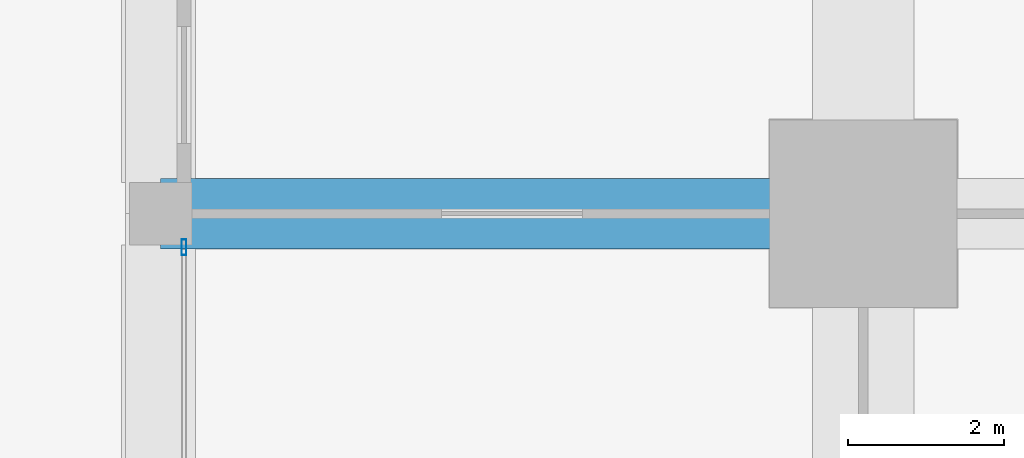
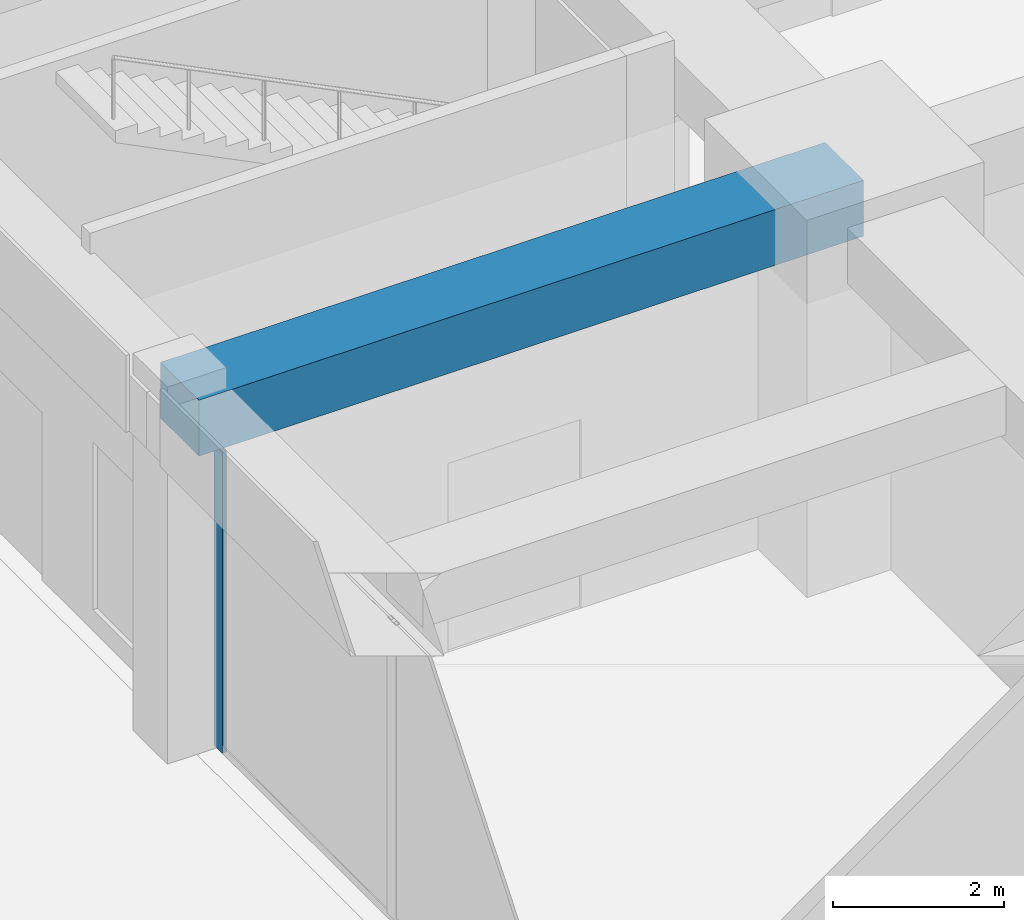
# One storey, part 17 of 56: 1 beam, 1 member, 1 element without a shape of its own.
"""IFC4 building model written with IfcOpenShell, lengths in metres."""

import ifcopenshell
import ifcopenshell.guid

model = None  # the IFC model being written
_history = None  # IfcOwnerHistory: only IFC2X3 demands one
_inside = {}  # id of a spatial element -> (the spatial element, [elements in it])
_under = {}  # id of a project, library or spatial element -> (it, [spatial elements below it])
_declared = {}  # id of a project -> (the project, [libraries it declares])
_typed = {}  # id of a type object -> (the type object, [elements of that type])
_made_of = {}  # id of a material, layer set ... -> (it, [elements and type objects made of it])


def new_model(schema):
    """Start an empty IFC model of exactly this schema.

    Asked for "IFC4X3", IfcOpenShell would pick the latest addendum, in which some entities
    have other attributes; the version numbers below select the first issue.
    IFC2X3 requires an IfcOwnerHistory on every rooted entity: one is made here for all.
    """
    global model, _history
    if schema == "IFC4X3":
        model = ifcopenshell.file(schema_version=(4, 3, 0, 0))
    else:
        model = ifcopenshell.file(schema=schema)
    _inside.clear()
    _under.clear()
    _declared.clear()
    _typed.clear()
    _made_of.clear()
    _history = None
    if model.schema == "IFC2X3":
        org = make("IfcOrganization", Name="unknown")
        user = make(
            "IfcPersonAndOrganization",
            ThePerson=make("IfcPerson", FamilyName="unknown"),
            TheOrganization=org,
        )
        app = make(
            "IfcApplication",
            ApplicationDeveloper=org,
            Version="unknown",
            ApplicationFullName="unknown",
            ApplicationIdentifier="unknown",
        )
        _history = make(
            "IfcOwnerHistory",
            OwningUser=user,
            OwningApplication=app,
            ChangeAction="ADDED",
            CreationDate=0,
        )
    return model


def make(cls, **values):
    """One entity of the class cls with the attributes given. An attribute that is None is left unset."""
    return model.create_entity(
        cls, **{name: value for name, value in values.items() if value is not None}
    )


def rooted(cls, **values):
    """An entity with a GlobalId (a new one), such as an element, a storey or a relation."""
    return make(cls, GlobalId=ifcopenshell.guid.new(), OwnerHistory=_history, **values)


def si_unit(unit_type, name, prefix=None):
    """IfcSIUnit, for example si_unit("LENGTHUNIT", "METRE", prefix="MILLI")."""
    return make("IfcSIUnit", UnitType=unit_type, Prefix=prefix, Name=name)


def assignment(units):
    """IfcUnitAssignment: the units of a project."""
    return None if units is None else make("IfcUnitAssignment", Units=units)


def point(xyz):
    """IfcCartesianPoint."""
    return None if xyz is None else make("IfcCartesianPoint", Coordinates=xyz)


def direction(xyz):
    """IfcDirection."""
    return None if xyz is None else make("IfcDirection", DirectionRatios=xyz)


def frame(location, z_axis=None, x_axis=None):
    """IfcAxis2Placement3D, a coordinate frame: its origin and axes. An axis left out is left unset."""
    return make(
        "IfcAxis2Placement3D",
        Location=point(location),
        Axis=direction(z_axis),
        RefDirection=direction(x_axis),
    )


def frame_2d(location, x_axis=None):
    """IfcAxis2Placement2D, a coordinate frame in the plane: its origin and x axis."""
    return make(
        "IfcAxis2Placement2D", Location=point(location), RefDirection=direction(x_axis)
    )


def origin():
    """The frame at (0, 0, 0) with its axes left unset."""
    return frame((0.0, 0.0, 0.0))


def origin_2d():
    """The frame at (0, 0) in the plane with its x axis left unset."""
    return frame_2d((0.0, 0.0))


def place(relative_to, where):
    """IfcLocalPlacement: puts the frame where relative to a parent placement (None: the world)."""
    return make(
        "IfcLocalPlacement", PlacementRelTo=relative_to, RelativePlacement=where
    )


def context(
    kind, dimensions, precision=None, world=None, true_north=None, identifier=None
):
    """IfcGeometricRepresentationContext, for example the 3D "Model" context."""
    return make(
        "IfcGeometricRepresentationContext",
        ContextIdentifier=identifier,
        ContextType=kind,
        CoordinateSpaceDimension=dimensions,
        Precision=precision,
        WorldCoordinateSystem=world,
        TrueNorth=true_north,
    )


def subcontext(parent, identifier, kind, view, scale=None):
    """IfcGeometricRepresentationSubContext, for example "Body" below "Model"."""
    return make(
        "IfcGeometricRepresentationSubContext",
        ContextIdentifier=identifier,
        ContextType=kind,
        ParentContext=parent,
        TargetScale=scale,
        TargetView=view,
    )


def project(units=None, contexts=None):
    """IfcProject with its units and contexts."""
    return rooted(
        "IfcProject",
        Name="project",
        RepresentationContexts=contexts,
        UnitsInContext=assignment(units),
    )


def spatial(cls, under=None, at=None, **own):
    """A site, building, storey or space (cls), placed at a placement, below another one or the project."""
    s = rooted(cls, ObjectPlacement=at, **own)
    if under is not None:
        _under.setdefault(under.id(), (under, []))[1].append(s)
    return s


def profile(cls, at=None, kind="AREA", **sizes):
    """A parametric profile (cls). Its sizes go by their IFC names, for example OverallWidth=200.0."""
    return make(cls, ProfileType=kind, Position=at, **sizes)


def rectangle(**sizes):
    """IfcRectangleProfileDef."""
    return profile("IfcRectangleProfileDef", **sizes)


def hollow_rectangle(**sizes):
    """IfcRectangleHollowProfileDef."""
    return profile("IfcRectangleHollowProfileDef", **sizes)


def extrude(swept, where, along, depth):
    """IfcExtrudedAreaSolid: the profile swept, set in the frame where, extruded along a direction by depth."""
    return make(
        "IfcExtrudedAreaSolid",
        SweptArea=swept,
        Position=where,
        ExtrudedDirection=direction(along),
        Depth=depth,
    )


def shape(context_of_items, identifier, shape_type, items):
    """IfcShapeRepresentation: the items that make up one representation, for example the "Body"."""
    return make(
        "IfcShapeRepresentation",
        ContextOfItems=context_of_items,
        RepresentationIdentifier=identifier,
        RepresentationType=shape_type,
        Items=items,
    )


def material(Name=None, Category=None):
    """IfcMaterial."""
    return make("IfcMaterial", Name=Name, Category=Category)


def material_profile(
    of_material, cross_section, Name=None, Category=None, Priority=None
):
    """IfcMaterialProfile: a cross section and its material."""
    return make(
        "IfcMaterialProfile",
        Name=Name,
        Material=of_material,
        Profile=cross_section,
        Priority=Priority,
        Category=Category,
    )


def profile_set(profiles, Name=None, composite=None):
    """IfcMaterialProfileSet."""
    return make(
        "IfcMaterialProfileSet",
        Name=Name,
        MaterialProfiles=profiles,
        CompositeProfile=composite,
    )


def made_of(thing, what):
    """Note that an element or type object is made of a material, layer set ...; save() writes the relation."""
    if what is not None:
        _made_of.setdefault(what.id(), (what, []))[1].append(thing)
    return thing


def type_object(cls, material=None, **own):
    """A type object (cls), such as IfcWallType, which elements share."""
    return made_of(rooted(cls, **own), material)


def element(
    cls,
    number,
    at=None,
    inside=None,
    cuts=None,
    type_object=None,
    material=None,
    context=None,
    identifier="Body",
    shape_type=None,
    held_by="IfcProductDefinitionShape",
    body=None,
    shapes=None,
    **own,
):
    """One element of the class cls, such as IfcWall. Its Tag is "e" and its number.

    at: its placement. inside: the storey or other place that contains it. cuts: it is an
    opening in that element (IfcRelVoidsElement). A single representation is given by context,
    identifier, shape_type and body (its items); several are given by shapes. held_by: the class
    of the entity that holds the representations. save() writes the other relations.
    """
    e = rooted(cls, Tag="e%d" % number, ObjectPlacement=at, **own)
    if body is not None:
        shapes = [shape(context, identifier, shape_type, body)]
    if shapes is not None:
        e.Representation = make(held_by, Representations=shapes)
    if inside is not None:
        _inside.setdefault(inside.id(), (inside, []))[1].append(e)
    if cuts is not None:
        rooted(
            "IfcRelVoidsElement", RelatingBuildingElement=cuts, RelatedOpeningElement=e
        )
    if type_object is not None:
        _typed.setdefault(type_object.id(), (type_object, []))[1].append(e)
    return made_of(e, material)


def aggregate(whole, parts):
    """IfcRelAggregates: a whole, such as a stair, and the parts it consists of."""
    return rooted("IfcRelAggregates", RelatingObject=whole, RelatedObjects=parts)


def save(model, path):
    """Write the relations noted so far, then the file.

    IfcRelAggregates (storeys below a building ...), IfcRelContainedInSpatialStructure (elements
    in a storey), IfcRelDefinesByType, IfcRelAssociatesMaterial and IfcRelDeclares: one each for
    every whole, place, type object, material and project.
    """
    for whole, parts in _under.values():
        aggregate(whole, parts)
    for where, things in _inside.values():
        rooted(
            "IfcRelContainedInSpatialStructure",
            RelatedElements=things,
            RelatingStructure=where,
        )
    for kind, things in _typed.values():
        rooted("IfcRelDefinesByType", RelatedObjects=things, RelatingType=kind)
    for what, things in _made_of.values():
        rooted("IfcRelAssociatesMaterial", RelatedObjects=things, RelatingMaterial=what)
    for by, libraries in _declared.values():
        rooted("IfcRelDeclares", RelatingContext=by, RelatedDefinitions=libraries)
    model.write(path)


model = new_model("IFC4")

# Units and contexts
model_context = context("Model", 3, precision=1e-05, world=origin(), true_north=direction((0.0, 1.0)))
body_context = subcontext(model_context, "Body", "Model", "MODEL_VIEW")
ifc_project = project(units=[si_unit("LENGTHUNIT", "METRE"), si_unit("AREAUNIT", "SQUARE_METRE"), si_unit("VOLUMEUNIT", "CUBIC_METRE"), si_unit("PLANEANGLEUNIT", "RADIAN"), si_unit("MASSUNIT", "GRAM", prefix="KILO")], contexts=[model_context])

# Site, building, storey
site_placement = place(None, origin())
site = spatial("IfcSite", under=ifc_project, at=site_placement, CompositionType="ELEMENT")
building_placement = place(site_placement, origin())
building = spatial("IfcBuilding", under=site, at=building_placement, Name="Zorevar Civic Tower", CompositionType="ELEMENT")
storey_placement = place(building_placement, origin())
storey = spatial("IfcBuildingStorey", under=building, at=storey_placement, Name="L00", CompositionType="ELEMENT", Elevation=0.0)

# Beam
ifc_material_1 = material(Name="Concrete C50/60", Category="concrete")
ifc_material_profile_1 = material_profile(ifc_material_1, rectangle(XDim=0.89990234375, YDim=0.800048828125, at=origin_2d()), Name="RC 900x800")
ifc_profile_set_1 = profile_set([ifc_material_profile_1], Name="Concrete C50/60")
beam_type = type_object("IfcBeamType", Name="Beam RC 900x800", PredefinedType="BEAM", material=ifc_profile_set_1)
beam_placement = place(storey_placement, frame((-9.0, 36.0, 4.699951171875), z_axis=(1.0, 0.0, 0.0), x_axis=(0.0, 1.0, 0.0)))
element("IfcBeam", 1, at=beam_placement, inside=storey, type_object=beam_type, Name="Girder L01", PredefinedType="BEAM", context=body_context, shape_type="SweptSolid", body=[
    extrude(rectangle(XDim=0.89990234375, YDim=0.800048828125, at=origin_2d()), origin(), (0.0, 0.0, 1.0), 9.0),
])

# Curtain wall, member
ifc_material_2 = material(Name="Dark grey solar-control glass in black aluminium frame", Category="aluminium")
curtain_wall_type = type_object("IfcCurtainWallType", Name="Curtain wall CW1 podium", PredefinedType="NOTDEFINED", material=ifc_material_2)
curtain_wall_placement = place(storey_placement, origin())
curtain_wall = element("IfcCurtainWall", 2, at=curtain_wall_placement, inside=storey, type_object=curtain_wall_type, Name="CW1 L00", PredefinedType="NOTDEFINED")
ifc_material_3 = material(Name="Aluminium, black anodised", Category="aluminium")
ifc_material_profile_2 = material_profile(ifc_material_3, hollow_rectangle(XDim=0.06005859375, YDim=0.199951171875, WallThickness=0.00390625, at=origin_2d()), Name="AL 200x60x4")
ifc_profile_set_2 = profile_set([ifc_material_profile_2], Name="Aluminium, black anodised")
member_type = type_object("IfcMemberType", Name="CW1 mullion AL 200x60x4", PredefinedType="MULLION", material=ifc_profile_set_2)
member_placement = place(storey_placement, frame((-8.699951171875, 35.570068359375, 0.0), z_axis=(0.0, 0.0, 1.0), x_axis=(-1.0, 0.0, 0.0)))
member = element("IfcMember", 3, at=member_placement, type_object=member_type, Name="CW1 mullion 3", PredefinedType="MULLION", context=body_context, shape_type="SweptSolid", body=[
    extrude(hollow_rectangle(XDim=0.06005859375, YDim=0.199951171875, WallThickness=0.00390625, at=origin_2d()), origin(), (0.0, 0.0, 1.0), 4.300048828125),
])
aggregate(curtain_wall, [member])

save(model, "model.ifc")
